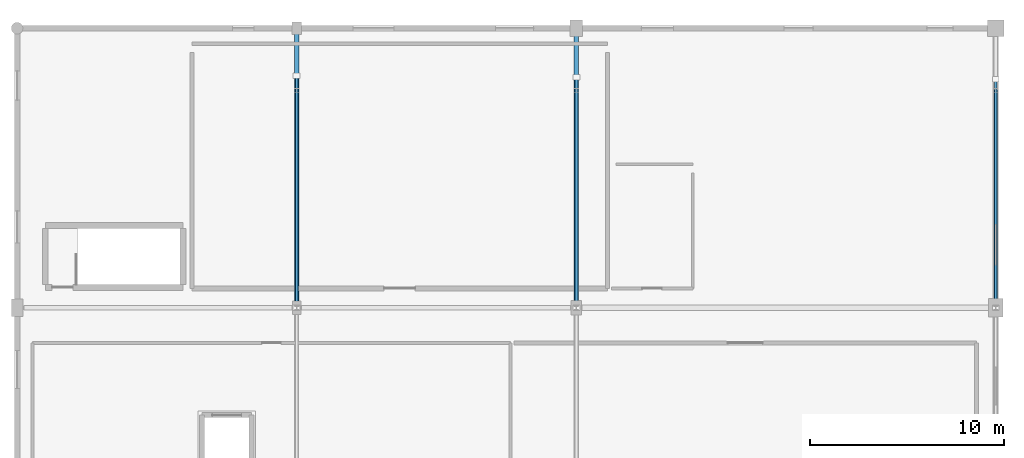
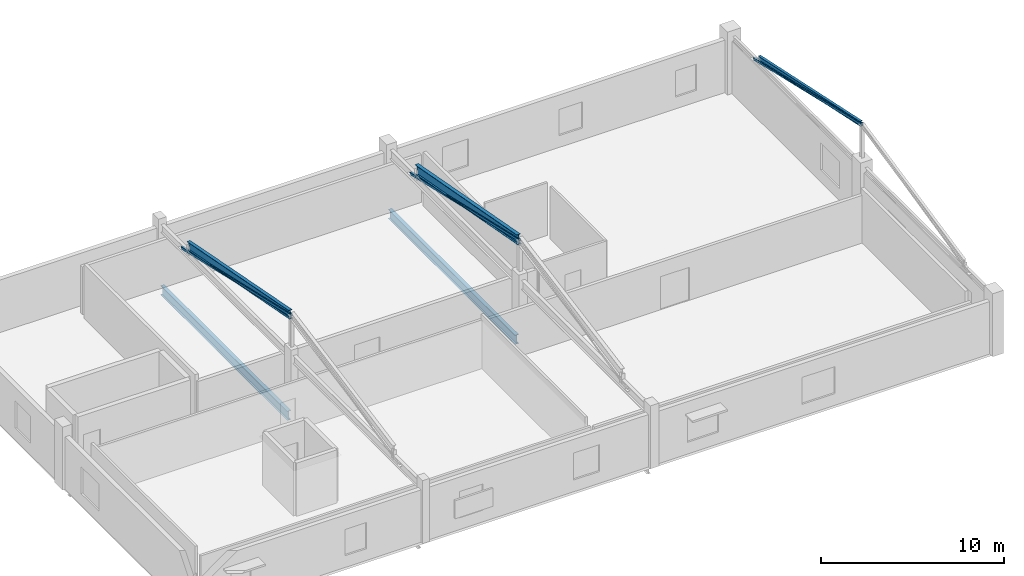
# One storey, part 43 of 92: 5 beams, 3 members.
"""IFC4 building model written with IfcOpenShell, lengths in metres."""

from ifc_helpers import new_model, si_unit, direction, frame, origin, origin_2d, place, context, subcontext, project, spatial, hollow_rectangle, i_section, extrude, material, material_profile, profile_set, type_object, element, save


model = new_model("IFC4")

# Units and contexts
model_context = context("Model", 3, precision=1e-05, world=origin(), true_north=direction((0.0, 1.0)))
body_context = subcontext(model_context, "Body", "Model", "MODEL_VIEW")
ifc_project = project(units=[si_unit("LENGTHUNIT", "METRE"), si_unit("AREAUNIT", "SQUARE_METRE"), si_unit("VOLUMEUNIT", "CUBIC_METRE"), si_unit("PLANEANGLEUNIT", "RADIAN"), si_unit("MASSUNIT", "GRAM", prefix="KILO")], contexts=[model_context])

# Site, building, storey
site_placement = place(None, origin())
site = spatial("IfcSite", under=ifc_project, at=site_placement, CompositionType="ELEMENT")
building_placement = place(site_placement, origin())
building = spatial("IfcBuilding", under=site, at=building_placement, Name="Solanera Park Tramway Depot", CompositionType="ELEMENT")
storey_placement = place(building_placement, frame((0.0, 0.0, 4.800048828125)))
storey = spatial("IfcBuildingStorey", under=building, at=storey_placement, Name="L01", CompositionType="ELEMENT", Elevation=4.800048828125)

# Beams
ifc_material_1 = material(Name="Steel AS/NZS 3679.1 Grade 350", Category="steel")
ifc_material_profile_1 = material_profile(ifc_material_1, i_section(OverallWidth=0.1650390625, OverallDepth=0.3037109375, WebThickness=0.006103515625, FlangeThickness=0.01025390625, at=origin_2d()), Name="310UB40.4")
ifc_profile_set_1 = profile_set([ifc_material_profile_1], Name="Steel AS/NZS 3679.1 Grade 350")
beam_type_1 = type_object("IfcBeamType", Name="Steel Beam 310UB40.4", PredefinedType="BEAM", material=ifc_profile_set_1)
beam_1_placement = place(storey_placement, frame((216.0, 129.659912109375, 6.385498046875), z_axis=(0.0, 0.978047036059, -0.208384249059), x_axis=(-1.0, 0.0, 0.0)))
element("IfcBeam", 1, at=beam_1_placement, inside=storey, type_object=beam_type_1, Name="L01 Hip ROOF TRUSS Rafter 310UB40.4 #1064", PredefinedType="BEAM", context=body_context, shape_type="SweptSolid", body=[
    extrude(i_section(OverallWidth=0.1650390625, OverallDepth=0.3037109375, WebThickness=0.006103515625, FlangeThickness=0.01025390625, at=origin_2d()), origin(), (0.0, 0.0, 1.0), 11.39013671875),
])
ifc_material_2 = material(Name="Steel AS/NZS 3679.1 Grade 350", Category="steel")
ifc_material_profile_2 = material_profile(ifc_material_2, i_section(OverallWidth=0.209228515625, OverallDepth=0.532958984375, WebThickness=0.01025390625, FlangeThickness=0.015625, at=origin_2d()), Name="530UB92.4")
ifc_profile_set_2 = profile_set([ifc_material_profile_2], Name="Steel AS/NZS 3679.1 Grade 350")
beam_type_2 = type_object("IfcBeamType", Name="Steel Beam 530UB92.4", PredefinedType="BEAM", material=ifc_profile_set_2)
beam_2_placement = place(storey_placement, frame((180.0, 129.659912109375, 6.27099609375), z_axis=(0.0, 0.981970510915, -0.189034165415), x_axis=(-1.0, 0.0, 0.0)))
element("IfcBeam", 2, at=beam_2_placement, inside=storey, type_object=beam_type_2, Name="L01 Hip ROOF TRUSS Rafter 530UB92.4 #1058", PredefinedType="BEAM", context=body_context, shape_type="SweptSolid", body=[
    extrude(i_section(OverallWidth=0.209228515625, OverallDepth=0.532958984375, WebThickness=0.01025390625, FlangeThickness=0.015625, at=origin_2d()), origin(), (0.0, 0.0, 1.0), 11.3447265625),
])
ifc_material_3 = material(Name="Steel AS/NZS 3679.1 Grade 350", Category="steel")
ifc_material_profile_3 = material_profile(ifc_material_3, i_section(OverallWidth=0.22900390625, OverallDepth=0.611572265625, WebThickness=0.011962890625, FlangeThickness=0.01953125, at=origin_2d()), Name="610UB125")
ifc_profile_set_3 = profile_set([ifc_material_profile_3], Name="Steel AS/NZS 3679.1 Grade 350")
beam_type_3 = type_object("IfcBeamType", Name="Steel Beam 610UB125", PredefinedType="BEAM", material=ifc_profile_set_3)
beam_3_placement = place(storey_placement, frame((180.0, 129.85009765625, -0.5849609375), z_axis=(0.0, 1.0, 0.0), x_axis=(-1.0, 0.0, 0.0)))
element("IfcBeam", 3, at=beam_3_placement, inside=storey, type_object=beam_type_3, Name="L01 Primary Y-Girder 610UB125 #0081", PredefinedType="BEAM", context=body_context, shape_type="SweptSolid", body=[
    extrude(i_section(OverallWidth=0.22900390625, OverallDepth=0.611572265625, WebThickness=0.011962890625, FlangeThickness=0.01953125, at=origin_2d()), origin(), (0.0, 0.0, 1.0), 13.849853515625),
])
beam_4_placement = place(storey_placement, frame((194.39990234375, 129.89990234375, -0.5849609375), z_axis=(0.0, 1.0, 0.0), x_axis=(-1.0, 0.0, 0.0)))
element("IfcBeam", 4, at=beam_4_placement, inside=storey, type_object=beam_type_3, Name="L01 Primary Y-Girder 610UB125 #0083", PredefinedType="BEAM", context=body_context, shape_type="SweptSolid", body=[
    extrude(i_section(OverallWidth=0.22900390625, OverallDepth=0.611572265625, WebThickness=0.011962890625, FlangeThickness=0.01953125, at=origin_2d()), origin(), (0.0, 0.0, 1.0), 13.875),
])
beam_5_placement = place(storey_placement, frame((194.39990234375, 129.659912109375, 6.231689453125), z_axis=(0.0, 0.983235676418, -0.182339256933), x_axis=(-1.0, 0.0, 0.0)))
element("IfcBeam", 5, at=beam_5_placement, inside=storey, type_object=beam_type_3, Name="L01 Hip ROOF TRUSS Rafter 610UB125 #1061", PredefinedType="BEAM", context=body_context, shape_type="SweptSolid", body=[
    extrude(i_section(OverallWidth=0.22900390625, OverallDepth=0.611572265625, WebThickness=0.011962890625, FlangeThickness=0.01953125, at=origin_2d()), origin(), (0.0, 0.0, 1.0), 11.330078125),
])

# Members
ifc_material_4 = material(Name="Steel AS/NZS 1163 Grade C350L0", Category="steel")
ifc_material_profile_4 = material_profile(ifc_material_4, hollow_rectangle(XDim=0.14990234375, YDim=0.14990234375, WallThickness=0.006103515625, at=origin_2d()), Name="150x150x6.0 SHS")
ifc_profile_set_4 = profile_set([ifc_material_profile_4], Name="Steel AS/NZS 1163 Grade C350L0")
member_type = type_object("IfcMemberType", Name="Truss and Frame Brace 150x150x6.0 SHS", PredefinedType="BRACE", material=ifc_profile_set_4)
member_1_placement = place(storey_placement, frame((180.0, 141.550048828125, 3.533447265625), z_axis=(0.0, -0.974749749891, 0.223300078565), x_axis=(1.0, 0.0, 0.0)))
element("IfcMember", 6, at=member_1_placement, inside=storey, type_object=member_type, Name="Hip ROOF TRUSS Web #0446", PredefinedType="BRACE", context=body_context, shape_type="SweptSolid", body=[
    extrude(hollow_rectangle(XDim=0.14990234375, YDim=0.14990234375, WallThickness=0.006103515625, at=origin_2d()), origin(), (0.0, 0.0, 1.0), 12.259521484375),
])
member_2_placement = place(storey_placement, frame((194.39990234375, 141.47509765625, 3.494140625), z_axis=(0.0, -0.974442155445, 0.224638566797), x_axis=(1.0, 0.0, 0.0)))
element("IfcMember", 7, at=member_2_placement, inside=storey, type_object=member_type, Name="Hip ROOF TRUSS Web #0448", PredefinedType="BRACE", context=body_context, shape_type="SweptSolid", body=[
    extrude(hollow_rectangle(XDim=0.14990234375, YDim=0.14990234375, WallThickness=0.006103515625, at=origin_2d()), origin(), (0.0, 0.0, 1.0), 12.1865234375),
])
member_3_placement = place(storey_placement, frame((216.0, 141.375, 3.64794921875), z_axis=(0.0, -0.974022635311, 0.22645066991), x_axis=(1.0, 0.0, 0.0)))
element("IfcMember", 8, at=member_3_placement, inside=storey, type_object=member_type, Name="Hip ROOF TRUSS Web #0450", PredefinedType="BRACE", context=body_context, shape_type="SweptSolid", body=[
    extrude(hollow_rectangle(XDim=0.14990234375, YDim=0.14990234375, WallThickness=0.006103515625, at=origin_2d()), origin(), (0.0, 0.0, 1.0), 12.0888671875),
])

save(model, "model.ifc")
